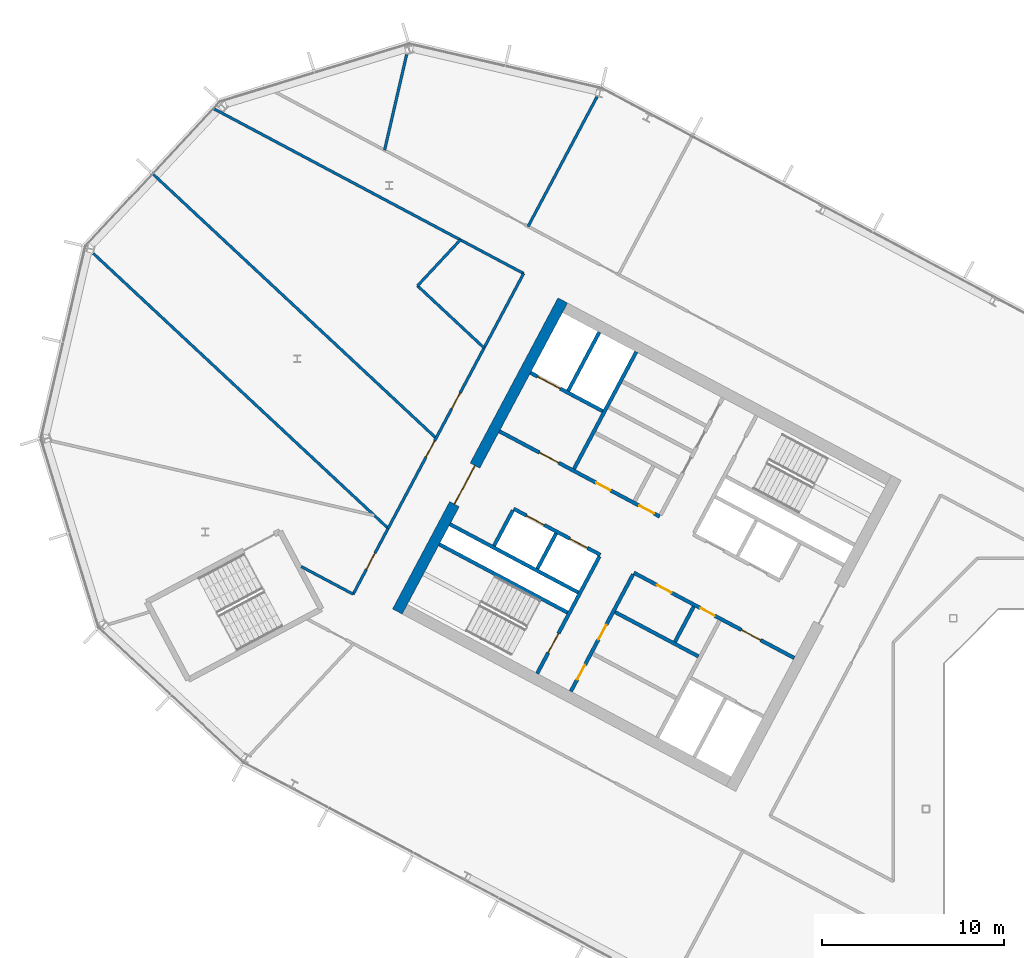
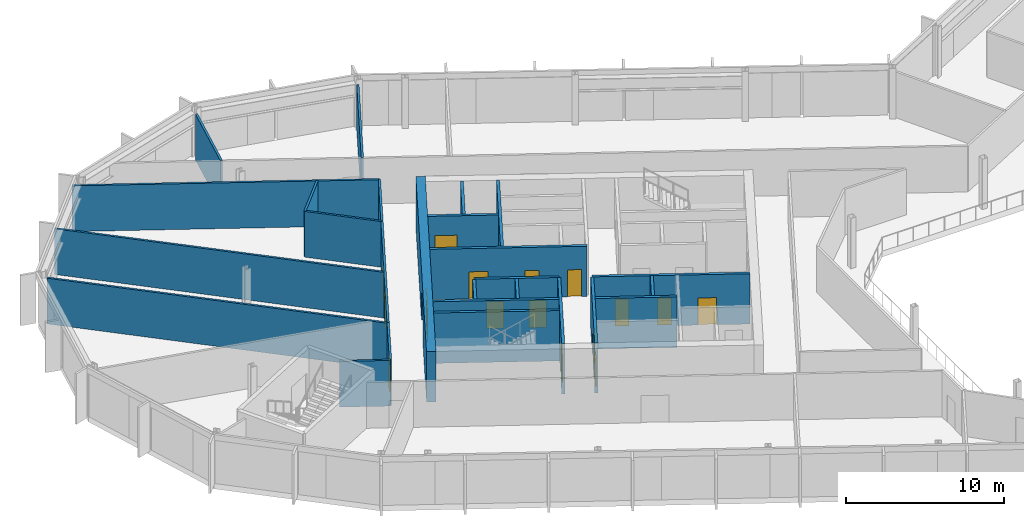
# One storey, part 16 of 31: 25 walls, 16 doors, 16 openings.
"""IFC4 building model written with IfcOpenShell, lengths in metres."""

from ifc_helpers import new_model, si_unit, direction, frame, frame_2d, origin, place, context, subcontext, project, spatial, rectangle, extrude, material, layer, layer_set, type_object, element, fill, save


model = new_model("IFC4")

# Units and contexts
model_context = context("Model", 3, precision=1e-05, world=origin(), true_north=direction((0.0, 1.0)))
body_context = subcontext(model_context, "Body", "Model", "MODEL_VIEW")
ifc_project = project(units=[si_unit("LENGTHUNIT", "METRE"), si_unit("AREAUNIT", "SQUARE_METRE"), si_unit("VOLUMEUNIT", "CUBIC_METRE"), si_unit("PLANEANGLEUNIT", "RADIAN"), si_unit("MASSUNIT", "GRAM", prefix="KILO")], contexts=[model_context])

# Site, building, storey
site_placement = place(None, origin())
site = spatial("IfcSite", under=ifc_project, at=site_placement, CompositionType="ELEMENT")
building_placement = place(site_placement, origin())
building = spatial("IfcBuilding", under=site, at=building_placement, Name="Cormorant Relay Tower", CompositionType="ELEMENT")
storey_placement = place(building_placement, frame((0.0, 0.0, 189.60009765625)))
storey = spatial("IfcBuildingStorey", under=building, at=storey_placement, Name="L40", CompositionType="ELEMENT", Elevation=189.60009765625)

# Walls
ifc_material_1 = material(Name="Concrete 40 MPa", Category="concrete")
ifc_layer_1 = layer(ifc_material_1, 0.199951171875)
ifc_layer_set_1 = layer_set([ifc_layer_1], Name="Core internal wall 200")
wall_type_1 = type_object("IfcWallType", Name="Core internal wall 200", PredefinedType="SOLIDWALL", material=ifc_layer_set_1)
for number, where, z_axis, x_axis, name in (
    (1, (-24.79052734375, 11.142822265625, 0.0), (0.0, 0.0, 1.0), (-0.469487830541, -0.882938942948, 0.0), "L40 core A shaft and room wall"),
    (2, (-32.3662109375, 15.1708984375, 0.0), (0.0, 0.0, 1.0), (-0.469487830541, -0.882938942948, 0.0), "L40 core A shaft and room wall"),
):
    element("IfcWall", number, at=place(storey_placement, frame(where, z_axis=z_axis, x_axis=x_axis)), inside=storey, type_object=wall_type_1, Name=name, PredefinedType="SOLIDWALL", context=body_context, shape_type="SweptSolid", body=[
        extrude(rectangle(XDim=2.2001953125, YDim=0.199951171875, at=frame_2d((1.10009765625, 0.0))), origin(), (0.0, 0.0, 1.0), 3.89990234375),
    ])

# Wall, openings, doors
ifc_material_2 = material(Name="Concrete 50 MPa", Category="concrete")
ifc_layer_2 = layer(ifc_material_2, 0.199951171875)
ifc_layer_set_2 = layer_set([ifc_layer_2], Name="Core shaft wall 200")
wall_type_2 = type_object("IfcWallType", Name="Core shaft wall 200", PredefinedType="SHEAR", material=ifc_layer_set_2)
wall_1_placement = place(storey_placement, frame((-28.128173828125, 12.91748046875, 0.0), z_axis=(0.0, 0.0, 1.0), x_axis=(-0.469454336211, -0.882956752176, 0.0)))
wall_1 = element("IfcWall", 3, at=wall_1_placement, inside=storey, type_object=wall_type_2, Name="L40 core A shaft wall", PredefinedType="SHEAR", context=body_context, shape_type="SweptSolid", body=[
    extrude(rectangle(XDim=7.300048828125, YDim=0.199951171875, at=frame_2d((3.64990234375, 0.0))), origin(), (0.0, 0.0, 1.0), 3.89990234375),
])
opening_1_placement = place(wall_1_placement, frame((3.14990234375, 0.0, 0.0)))
opening_1 = element("IfcOpeningElement", 4, at=opening_1_placement, cuts=wall_1, Name="Opening CDD-236", PredefinedType="OPENING", context=body_context, shape_type="SweptSolid", body=[
    extrude(rectangle(XDim=0.89990234375, YDim=2.10009765625, at=frame_2d((0.449951171875, 1.050048828125))), frame((0.0, 0.10986328125, 0.0), z_axis=(0.0, -1.0, 0.0), x_axis=(1.0, 0.0, 0.0)), (0.0, 0.0, 1.0), 0.219970703125),
])
opening_2_placement = place(wall_1_placement, frame((5.64990234375, 0.0, 0.0)))
opening_2 = element("IfcOpeningElement", 5, at=opening_2_placement, cuts=wall_1, Name="Opening CDD-237", PredefinedType="OPENING", context=body_context, shape_type="SweptSolid", body=[
    extrude(rectangle(XDim=0.89990234375, YDim=2.10009765625, at=frame_2d((0.449951171875, 1.050048828125))), frame((0.0, 0.10986328125, 0.0), z_axis=(0.0, -1.0, 0.0), x_axis=(1.0, 0.0, 0.0)), (0.0, 0.0, 1.0), 0.219970703125),
])
ifc_material_3 = material(Name="Steel fire door", Category="steel")
door_type_1 = type_object("IfcDoorType", Name="Core room door 900x2100", OperationType="SINGLE_SWING_LEFT", PredefinedType="DOOR", material=ifc_material_3)
door_1_placement = place(opening_1_placement, origin())
door_1 = element("IfcDoor", 6, at=door_1_placement, inside=storey, type_object=door_type_1, Name="Core room door 900x2100", OperationType="SINGLE_SWING_LEFT", OverallHeight=2.10009765625, OverallWidth=0.89990234375, PredefinedType="DOOR", context=body_context, shape_type="SweptSolid", body=[
    extrude(rectangle(XDim=0.89990234375, YDim=2.10009765625, at=frame_2d((0.449951171875, 1.050048828125))), frame((0.0, 0.02490234375, 0.0), z_axis=(0.0, -1.0, 0.0), x_axis=(1.0, 0.0, 0.0)), (0.0, 0.0, 1.0), 0.050048828125),
])
fill(opening_1, door_1)
door_2_placement = place(opening_2_placement, origin())
door_2 = element("IfcDoor", 7, at=door_2_placement, inside=storey, type_object=door_type_1, Name="Core room door 900x2100", OperationType="SINGLE_SWING_LEFT", OverallHeight=2.10009765625, OverallWidth=0.89990234375, PredefinedType="DOOR", context=body_context, shape_type="SweptSolid", body=[
    extrude(rectangle(XDim=0.89990234375, YDim=2.10009765625, at=frame_2d((0.449951171875, 1.050048828125))), frame((0.0, 0.02490234375, 0.0), z_axis=(0.0, -1.0, 0.0), x_axis=(1.0, 0.0, 0.0)), (0.0, 0.0, 1.0), 0.050048828125),
])
fill(opening_2, door_2)

# Wall, opening, door
wall_2_placement = place(storey_placement, frame((-29.982421875, 13.9033203125, 0.0), z_axis=(0.0, 0.0, 1.0), x_axis=(-0.469454336211, -0.882956752176, 0.0)))
wall_2 = element("IfcWall", 8, at=wall_2_placement, inside=storey, type_object=wall_type_2, Name="L40 core A shaft wall", PredefinedType="SHEAR", context=body_context, shape_type="SweptSolid", body=[
    extrude(rectangle(XDim=7.300048828125, YDim=0.199951171875, at=frame_2d((3.64990234375, 0.0))), origin(), (0.0, 0.0, 1.0), 3.89990234375),
])
opening_3_placement = place(wall_2_placement, frame((4.800048828125, 0.0, 0.0)))
opening_3 = element("IfcOpeningElement", 9, at=opening_3_placement, cuts=wall_2, Name="Opening CDB-039", PredefinedType="OPENING", context=body_context, shape_type="SweptSolid", body=[
    extrude(rectangle(XDim=1.199951171875, YDim=2.10009765625, at=frame_2d((0.60009765625, 1.050048828125))), frame((0.0, 0.10986328125, 0.0), z_axis=(0.0, -1.0, 0.0), x_axis=(1.0, 0.0, 0.0)), (0.0, 0.0, 1.0), 0.219970703125),
])
ifc_material_4 = material(Name="Steel fire door", Category="steel")
door_type_2 = type_object("IfcDoorType", Name="Core stair door 1200x2100", OperationType="SINGLE_SWING_LEFT", PredefinedType="DOOR", material=ifc_material_4)
door_3_placement = place(opening_3_placement, frame((1.199951171875, 0.0, 0.0), z_axis=(0.0, 0.0, 1.0), x_axis=(-1.0, 0.0, 0.0)))
door_3 = element("IfcDoor", 10, at=door_3_placement, inside=storey, type_object=door_type_2, Name="Core stair door 1200x2100", OperationType="SINGLE_SWING_RIGHT", OverallHeight=2.10009765625, OverallWidth=1.199951171875, PredefinedType="DOOR", context=body_context, shape_type="SweptSolid", body=[
    extrude(rectangle(XDim=1.199951171875, YDim=2.10009765625, at=frame_2d((0.60009765625, 1.050048828125))), frame((0.0, 0.02490234375, 0.0), z_axis=(0.0, -1.0, 0.0), x_axis=(1.0, 0.0, 0.0)), (0.0, 0.0, 1.0), 0.050048828125),
])
fill(opening_3, door_3)

# Walls
wall_3_placement = place(storey_placement, frame((-27.955322265625, 25.170654296875, 0.0), z_axis=(0.0, 0.0, 1.0), x_axis=(-0.469480409012, -0.88294288918, 0.0)))
element("IfcWall", 11, at=wall_3_placement, inside=storey, type_object=wall_type_2, Name="L40 core A shaft wall", PredefinedType="SHEAR", context=body_context, shape_type="SweptSolid", body=[
    extrude(rectangle(XDim=7.300048828125, YDim=0.199951171875, at=frame_2d((3.64990234375, 0.0))), origin(), (0.0, 0.0, 1.0), 3.89990234375),
])
wall_4_placement = place(storey_placement, frame((-34.750244140625, 16.4384765625, 0.0), z_axis=(0.0, 0.0, 1.0), x_axis=(-0.469401318492, -0.882984938828, 0.0)))
element("IfcWall", 12, at=wall_4_placement, inside=storey, type_object=wall_type_2, Name="L40 core A shaft wall", PredefinedType="SHEAR", context=body_context, shape_type="SweptSolid", body=[
    extrude(rectangle(XDim=2.199951171875, YDim=0.199951171875, at=frame_2d((1.10009765625, 0.0))), origin(), (0.0, 0.0, 1.0), 3.89990234375),
])
wall_5_placement = place(storey_placement, frame((-29.986083984375, 26.250244140625, 0.0), z_axis=(0.0, 0.0, 1.0), x_axis=(-0.469494272526, -0.882935517501, 0.0)))
element("IfcWall", 13, at=wall_5_placement, inside=storey, type_object=wall_type_2, Name="L40 core A shaft wall", PredefinedType="SHEAR", context=body_context, shape_type="SweptSolid", body=[
    extrude(rectangle(XDim=3.64990234375, YDim=0.199951171875, at=frame_2d((1.824951171875, 0.0))), origin(), (0.0, 0.0, 1.0), 3.89990234375),
])

# Wall, opening, door
wall_6_placement = place(storey_placement, frame((-29.80419921875, 21.906494140625, 0.0), z_axis=(0.0, 0.0, 1.0), x_axis=(-0.882960433586, 0.469447412093, 0.0)))
wall_6 = element("IfcWall", 14, at=wall_6_placement, inside=storey, type_object=wall_type_2, Name="L40 core A shaft wall", PredefinedType="SHEAR", context=body_context, shape_type="SweptSolid", body=[
    extrude(rectangle(XDim=4.5, YDim=0.199951171875, at=frame_2d((2.25, 0.0))), origin(), (0.0, 0.0, 1.0), 3.89990234375),
])
opening_4_placement = place(wall_6_placement, frame((2.64990234375, 0.0, 0.0)))
opening_4 = element("IfcOpeningElement", 15, at=opening_4_placement, cuts=wall_6, Name="Opening LD3-015", PredefinedType="OPENING", context=body_context, shape_type="SweptSolid", body=[
    extrude(rectangle(XDim=1.39990234375, YDim=2.39990234375, at=frame_2d((0.699951171875, 1.199951171875))), frame((0.0, 0.10986328125, 0.0), z_axis=(0.0, -1.0, 0.0), x_axis=(1.0, 0.0, 0.0)), (0.0, 0.0, 1.0), 0.219970703125),
])
ifc_material_5 = material(Name="Stainless steel 316", Category="steel")
door_type_3 = type_object("IfcDoorType", Name="Lift landing door 1400x2400", OperationType="DOUBLE_DOOR_SLIDING", PredefinedType="DOOR", material=ifc_material_5)
door_4_placement = place(opening_4_placement, origin())
door_4 = element("IfcDoor", 16, at=door_4_placement, inside=storey, type_object=door_type_3, Name="SV1 landing door", OperationType="DOUBLE_DOOR_SLIDING", OverallHeight=2.39990234375, OverallWidth=1.39990234375, PredefinedType="DOOR", context=body_context, shape_type="SweptSolid", body=[
    extrude(rectangle(XDim=1.39990234375, YDim=2.39990234375, at=frame_2d((0.699951171875, 1.199951171875))), frame((0.0, 0.02490234375, 0.0), z_axis=(0.0, -1.0, 0.0), x_axis=(1.0, 0.0, 0.0)), (0.0, 0.0, 1.0), 0.050048828125),
])
fill(opening_4, door_4)

# Wall, openings, doors
wall_7_placement = place(storey_placement, frame((-26.66162109375, 16.1015625, 0.0), z_axis=(0.0, 0.0, 1.0), x_axis=(-0.882940221191, 0.469485426614, 0.0)))
wall_7 = element("IfcWall", 17, at=wall_7_placement, inside=storey, type_object=wall_type_2, Name="L40 core A shaft wall", PredefinedType="SHEAR", context=body_context, shape_type="SweptSolid", body=[
    extrude(rectangle(XDim=10.0, YDim=0.199951171875, at=frame_2d((5.0, 0.0))), origin(), (0.0, 0.0, 1.0), 3.89990234375),
])
opening_5_placement = place(wall_7_placement, frame((6.300048828125, 0.0, 0.0)))
opening_5 = element("IfcOpeningElement", 18, at=opening_5_placement, cuts=wall_7, Name="Opening CDC-034", PredefinedType="OPENING", context=body_context, shape_type="SweptSolid", body=[
    extrude(rectangle(XDim=1.199951171875, YDim=2.10009765625, at=frame_2d((0.60009765625, 1.050048828125))), frame((0.0, 0.10986328125, 0.0), z_axis=(0.0, -1.0, 0.0), x_axis=(1.0, 0.0, 0.0)), (0.0, 0.0, 1.0), 0.219970703125),
])
opening_6_placement = place(wall_7_placement, frame((0.360107421875, 0.0, 0.0)))
opening_6 = element("IfcOpeningElement", 19, at=opening_6_placement, cuts=wall_7, Name="Opening CDD-234", PredefinedType="OPENING", context=body_context, shape_type="SweptSolid", body=[
    extrude(rectangle(XDim=0.89990234375, YDim=2.10009765625, at=frame_2d((0.449951171875, 1.050048828125))), frame((0.0, 0.10986328125, 0.0), z_axis=(0.0, -1.0, 0.0), x_axis=(1.0, 0.0, 0.0)), (0.0, 0.0, 1.0), 0.219970703125),
])
opening_7_placement = place(wall_7_placement, frame((3.06005859375, 0.0, 0.0)))
opening_7 = element("IfcOpeningElement", 20, at=opening_7_placement, cuts=wall_7, Name="Opening CDD-235", PredefinedType="OPENING", context=body_context, shape_type="SweptSolid", body=[
    extrude(rectangle(XDim=0.89990234375, YDim=2.10009765625, at=frame_2d((0.449951171875, 1.050048828125))), frame((0.0, 0.10986328125, 0.0), z_axis=(0.0, -1.0, 0.0), x_axis=(1.0, 0.0, 0.0)), (0.0, 0.0, 1.0), 0.219970703125),
])
ifc_material_6 = material(Name="Steel fire door", Category="steel")
door_type_4 = type_object("IfcDoorType", Name="Core lobby door 1200x2100", OperationType="SINGLE_SWING_LEFT", PredefinedType="DOOR", material=ifc_material_6)
door_5_placement = place(opening_5_placement, origin())
door_5 = element("IfcDoor", 21, at=door_5_placement, inside=storey, type_object=door_type_4, Name="Core lobby door 1200x2100", OperationType="SINGLE_SWING_LEFT", OverallHeight=2.10009765625, OverallWidth=1.199951171875, PredefinedType="DOOR", context=body_context, shape_type="SweptSolid", body=[
    extrude(rectangle(XDim=1.199951171875, YDim=2.10009765625, at=frame_2d((0.60009765625, 1.050048828125))), frame((0.0, 0.02490234375, 0.0), z_axis=(0.0, -1.0, 0.0), x_axis=(1.0, 0.0, 0.0)), (0.0, 0.0, 1.0), 0.050048828125),
])
fill(opening_5, door_5)
door_6_placement = place(opening_6_placement, frame((0.89990234375, 0.0, 0.0), z_axis=(0.0, 0.0, 1.0), x_axis=(-1.0, 0.0, 0.0)))
door_6 = element("IfcDoor", 22, at=door_6_placement, inside=storey, type_object=door_type_1, Name="Core room door 900x2100", OperationType="SINGLE_SWING_RIGHT", OverallHeight=2.10009765625, OverallWidth=0.89990234375, PredefinedType="DOOR", context=body_context, shape_type="SweptSolid", body=[
    extrude(rectangle(XDim=0.89990234375, YDim=2.10009765625, at=frame_2d((0.449951171875, 1.050048828125))), frame((0.0, 0.02490234375, 0.0), z_axis=(0.0, -1.0, 0.0), x_axis=(1.0, 0.0, 0.0)), (0.0, 0.0, 1.0), 0.050048828125),
])
fill(opening_6, door_6)
door_7_placement = place(opening_7_placement, frame((0.89990234375, 0.0, 0.0), z_axis=(0.0, 0.0, 1.0), x_axis=(-1.0, 0.0, 0.0)))
door_7 = element("IfcDoor", 23, at=door_7_placement, inside=storey, type_object=door_type_1, Name="Core room door 900x2100", OperationType="SINGLE_SWING_RIGHT", OverallHeight=2.10009765625, OverallWidth=0.89990234375, PredefinedType="DOOR", context=body_context, shape_type="SweptSolid", body=[
    extrude(rectangle(XDim=0.89990234375, YDim=2.10009765625, at=frame_2d((0.449951171875, 1.050048828125))), frame((0.0, 0.02490234375, 0.0), z_axis=(0.0, -1.0, 0.0), x_axis=(1.0, 0.0, 0.0)), (0.0, 0.0, 1.0), 0.050048828125),
])
fill(opening_7, door_7)

wall_8_placement = place(storey_placement, frame((-19.251708984375, 8.31103515625, 0.0), z_axis=(0.0, 0.0, 1.0), x_axis=(-0.882955722218, 0.469456273365, 0.0)))
wall_8 = element("IfcWall", 24, at=wall_8_placement, inside=storey, type_object=wall_type_2, Name="L40 core A shaft wall", PredefinedType="SHEAR", context=body_context, shape_type="SweptSolid", body=[
    extrude(rectangle(XDim=10.0, YDim=0.199951171875, at=frame_2d((5.0, 0.0))), origin(), (0.0, 0.0, 1.0), 3.89990234375),
])
opening_8_placement = place(wall_8_placement, frame((2.10009765625, 0.0, 0.0)))
opening_8 = element("IfcOpeningElement", 25, at=opening_8_placement, cuts=wall_8, Name="Opening CDC-033", PredefinedType="OPENING", context=body_context, shape_type="SweptSolid", body=[
    extrude(rectangle(XDim=1.199951171875, YDim=2.10009765625, at=frame_2d((0.60009765625, 1.050048828125))), frame((0.0, 0.10986328125, 0.0), z_axis=(0.0, -1.0, 0.0), x_axis=(1.0, 0.0, 0.0)), (0.0, 0.0, 1.0), 0.219970703125),
])
opening_9_placement = place(wall_8_placement, frame((4.9599609375, 0.0, 0.0)))
opening_9 = element("IfcOpeningElement", 26, at=opening_9_placement, cuts=wall_8, Name="Opening CDD-232", PredefinedType="OPENING", context=body_context, shape_type="SweptSolid", body=[
    extrude(rectangle(XDim=0.89990234375, YDim=2.10009765625, at=frame_2d((0.449951171875, 1.050048828125))), frame((0.0, 0.10986328125, 0.0), z_axis=(0.0, -1.0, 0.0), x_axis=(1.0, 0.0, 0.0)), (0.0, 0.0, 1.0), 0.219970703125),
])
opening_10_placement = place(wall_8_placement, frame((7.659912109375, 0.0, 0.0)))
opening_10 = element("IfcOpeningElement", 27, at=opening_10_placement, cuts=wall_8, Name="Opening CDD-233", PredefinedType="OPENING", context=body_context, shape_type="SweptSolid", body=[
    extrude(rectangle(XDim=0.89990234375, YDim=2.10009765625, at=frame_2d((0.449951171875, 1.050048828125))), frame((0.0, 0.10986328125, 0.0), z_axis=(0.0, -1.0, 0.0), x_axis=(1.0, 0.0, 0.0)), (0.0, 0.0, 1.0), 0.219970703125),
])
door_8_placement = place(opening_8_placement, origin())
door_8 = element("IfcDoor", 28, at=door_8_placement, inside=storey, type_object=door_type_4, Name="Core lobby door 1200x2100", OperationType="SINGLE_SWING_RIGHT", OverallHeight=2.10009765625, OverallWidth=1.199951171875, PredefinedType="DOOR", context=body_context, shape_type="SweptSolid", body=[
    extrude(rectangle(XDim=1.199951171875, YDim=2.10009765625, at=frame_2d((0.60009765625, 1.050048828125))), frame((0.0, 0.02490234375, 0.0), z_axis=(0.0, -1.0, 0.0), x_axis=(1.0, 0.0, 0.0)), (0.0, 0.0, 1.0), 0.050048828125),
])
fill(opening_8, door_8)
door_9_placement = place(opening_9_placement, origin())
door_9 = element("IfcDoor", 29, at=door_9_placement, inside=storey, type_object=door_type_1, Name="Core room door 900x2100", OperationType="SINGLE_SWING_LEFT", OverallHeight=2.10009765625, OverallWidth=0.89990234375, PredefinedType="DOOR", context=body_context, shape_type="SweptSolid", body=[
    extrude(rectangle(XDim=0.89990234375, YDim=2.10009765625, at=frame_2d((0.449951171875, 1.050048828125))), frame((0.0, 0.02490234375, 0.0), z_axis=(0.0, -1.0, 0.0), x_axis=(1.0, 0.0, 0.0)), (0.0, 0.0, 1.0), 0.050048828125),
])
fill(opening_9, door_9)
door_10_placement = place(opening_10_placement, origin())
door_10 = element("IfcDoor", 30, at=door_10_placement, inside=storey, type_object=door_type_1, Name="Core room door 900x2100", OperationType="SINGLE_SWING_LEFT", OverallHeight=2.10009765625, OverallWidth=0.89990234375, PredefinedType="DOOR", context=body_context, shape_type="SweptSolid", body=[
    extrude(rectangle(XDim=0.89990234375, YDim=2.10009765625, at=frame_2d((0.449951171875, 1.050048828125))), frame((0.0, 0.02490234375, 0.0), z_axis=(0.0, -1.0, 0.0), x_axis=(1.0, 0.0, 0.0)), (0.0, 0.0, 1.0), 0.050048828125),
])
fill(opening_10, door_10)

wall_9_placement = place(storey_placement, frame((-29.935302734375, 13.991455078125, 0.0), z_axis=(0.0, 0.0, 1.0), x_axis=(-0.882952937579, 0.469461510692, 0.0)))
wall_9 = element("IfcWall", 31, at=wall_9_placement, inside=storey, type_object=wall_type_2, Name="L40 core A shaft wall", PredefinedType="SHEAR", context=body_context, shape_type="SweptSolid", body=[
    extrude(rectangle(XDim=5.400146484375, YDim=0.199951171875, at=frame_2d((2.7001953125, 0.0))), origin(), (0.0, 0.0, 1.0), 3.89990234375),
])
opening_11_placement = place(wall_9_placement, frame((0.800048828125, 0.0, 0.0)))
opening_11 = element("IfcOpeningElement", 32, at=opening_11_placement, cuts=wall_9, Name="Opening LD1-059", PredefinedType="OPENING", context=body_context, shape_type="SweptSolid", body=[
    extrude(rectangle(XDim=1.10009765625, YDim=2.10009765625, at=frame_2d((0.550048828125, 1.050048828125))), frame((0.0, 0.10986328125, 0.0), z_axis=(0.0, -1.0, 0.0), x_axis=(1.0, 0.0, 0.0)), (0.0, 0.0, 1.0), 0.219970703125),
])
opening_12_placement = place(wall_9_placement, frame((3.5, 0.0, 0.0)))
opening_12 = element("IfcOpeningElement", 33, at=opening_12_placement, cuts=wall_9, Name="Opening LD1-060", PredefinedType="OPENING", context=body_context, shape_type="SweptSolid", body=[
    extrude(rectangle(XDim=1.10009765625, YDim=2.10009765625, at=frame_2d((0.550048828125, 1.050048828125))), frame((0.0, 0.10986328125, 0.0), z_axis=(0.0, -1.0, 0.0), x_axis=(1.0, 0.0, 0.0)), (0.0, 0.0, 1.0), 0.219970703125),
])
ifc_material_7 = material(Name="Stainless steel 316", Category="steel")
door_type_5 = type_object("IfcDoorType", Name="Lift landing door 1100x2100", OperationType="DOUBLE_DOOR_SLIDING", PredefinedType="DOOR", material=ifc_material_7)
door_11_placement = place(opening_11_placement, origin())
door_11 = element("IfcDoor", 34, at=door_11_placement, inside=storey, type_object=door_type_5, Name="MR1 landing door", OperationType="DOUBLE_DOOR_SLIDING", OverallHeight=2.10009765625, OverallWidth=1.10009765625, PredefinedType="DOOR", context=body_context, shape_type="SweptSolid", body=[
    extrude(rectangle(XDim=1.10009765625, YDim=2.10009765625, at=frame_2d((0.550048828125, 1.050048828125))), frame((0.0, 0.02490234375, 0.0), z_axis=(0.0, -1.0, 0.0), x_axis=(1.0, 0.0, 0.0)), (0.0, 0.0, 1.0), 0.050048828125),
])
fill(opening_11, door_11)
door_12_placement = place(opening_12_placement, origin())
door_12 = element("IfcDoor", 35, at=door_12_placement, inside=storey, type_object=door_type_5, Name="MR2 landing door", OperationType="DOUBLE_DOOR_SLIDING", OverallHeight=2.10009765625, OverallWidth=1.10009765625, PredefinedType="DOOR", context=body_context, shape_type="SweptSolid", body=[
    extrude(rectangle(XDim=1.10009765625, YDim=2.10009765625, at=frame_2d((0.550048828125, 1.050048828125))), frame((0.0, 0.02490234375, 0.0), z_axis=(0.0, -1.0, 0.0), x_axis=(1.0, 0.0, 0.0)), (0.0, 0.0, 1.0), 0.050048828125),
])
fill(opening_12, door_12)

# Walls
wall_10_placement = place(storey_placement, frame((-24.5283203125, 8.3984375, 0.0), z_axis=(0.0, 0.0, 1.0), x_axis=(-0.882953967957, 0.469459572775, 0.0)))
element("IfcWall", 36, at=wall_10_placement, inside=storey, type_object=wall_type_2, Name="L40 core A shaft wall", PredefinedType="SHEAR", context=body_context, shape_type="SweptSolid", body=[
    extrude(rectangle(XDim=5.199951171875, YDim=0.199951171875, at=frame_2d((2.60009765625, 0.0))), origin(), (0.0, 0.0, 1.0), 3.89990234375),
])
for number, where, z_axis, x_axis, name in (
    (37, (-31.150390625, 11.91943359375, 0.0), (0.0, 0.0, 1.0), (-0.882940221191, 0.469485426614, 0.0), "L40 core A shaft wall"),
    (38, (-31.7373046875, 10.815673828125, 0.0), (0.0, 0.0, 1.0), (-0.882940221191, 0.469485426614, 0.0), "L40 core A shaft wall"),
):
    element("IfcWall", number, at=place(storey_placement, frame(where, z_axis=z_axis, x_axis=x_axis)), inside=storey, type_object=wall_type_2, Name=name, PredefinedType="SHEAR", context=body_context, shape_type="SweptSolid", body=[
        extrude(rectangle(XDim=8.0, YDim=0.199951171875, at=frame_2d((4.0, 0.0))), origin(), (0.0, 0.0, 1.0), 3.89990234375),
    ])

# Wall, opening, door
ifc_material_8 = material(Name="Concrete 50 MPa", Category="concrete")
ifc_layer_3 = layer(ifc_material_8, 0.60009765625)
ifc_layer_set_3 = layer_set([ifc_layer_3], Name="Core wall 600")
wall_type_3 = type_object("IfcWallType", Name="Core wall 600", PredefinedType="SHEAR", material=ifc_layer_set_3)
wall_11_placement = place(storey_placement, frame((-32.000244140625, 28.000732421875, 0.0), z_axis=(0.0, 0.0, 1.0), x_axis=(-0.469468958625, -0.882948977511, 0.0)))
wall_11 = element("IfcWall", 39, at=wall_11_placement, inside=storey, type_object=wall_type_3, Name="L40 core A wall", PredefinedType="SHEAR", context=body_context, shape_type="SweptSolid", body=[
    extrude(rectangle(XDim=19.39990234375, YDim=0.60009765625, at=frame_2d((9.699951171875, 0.0))), origin(), (0.0, 0.0, 1.0), 3.89990234375),
])
opening_13_placement = place(wall_11_placement, frame((10.300048828125, 0.0, 0.0)))
opening_13 = element("IfcOpeningElement", 40, at=opening_13_placement, cuts=wall_11, Name="Opening CDA-041", PredefinedType="OPENING", context=body_context, shape_type="SweptSolid", body=[
    extrude(rectangle(XDim=2.39990234375, YDim=2.39990234375, at=frame_2d((1.199951171875, 1.199951171875))), frame((0.0, 0.31005859375, 0.0), z_axis=(0.0, -1.0, 0.0), x_axis=(1.0, 0.0, 0.0)), (0.0, 0.0, 1.0), 0.6201171875),
])
ifc_material_9 = material(Name="Steel fire door", Category="steel")
door_type_6 = type_object("IfcDoorType", Name="Core lobby door 2400x2400", OperationType="DOUBLE_DOOR_SINGLE_SWING", PredefinedType="DOOR", material=ifc_material_9)
door_13_placement = place(opening_13_placement, origin())
door_13 = element("IfcDoor", 41, at=door_13_placement, inside=storey, type_object=door_type_6, Name="Core lobby door 2400x2400", OperationType="DOUBLE_DOOR_SINGLE_SWING", OverallHeight=2.39990234375, OverallWidth=2.39990234375, PredefinedType="DOOR", context=body_context, shape_type="SweptSolid", body=[
    extrude(rectangle(XDim=2.39990234375, YDim=2.39990234375, at=frame_2d((1.199951171875, 1.199951171875))), frame((0.0, 0.02490234375, 0.0), z_axis=(0.0, -1.0, 0.0), x_axis=(1.0, 0.0, 0.0)), (0.0, 0.0, 1.0), 0.050048828125),
])
fill(opening_13, door_13)

# Wall, openings, doors
ifc_material_10 = material(Name="Gypsum board fire partition")
ifc_layer_4 = layer(ifc_material_10, 0.14990234375)
ifc_layer_set_4 = layer_set([ifc_layer_4], Name="Corridor partition 150 EI 60")
wall_type_4 = type_object("IfcWallType", Name="Corridor partition 150 EI 60", PredefinedType="PARTITIONING", material=ifc_layer_set_4)
wall_12_placement = place(storey_placement, frame((-41.617919921875, 15.449951171875, 0.0), z_axis=(0.0, 0.0, 1.0), x_axis=(0.46945912711, 0.882954204913, 0.0)))
wall_12 = element("IfcWall", 42, at=wall_12_placement, inside=storey, type_object=wall_type_4, Name="wall/L40/part/007", PredefinedType="PARTITIONING", context=body_context, shape_type="SweptSolid", body=[
    extrude(rectangle(XDim=15.896728515625, YDim=0.14990234375, at=frame_2d((7.9482421875, 0.0))), origin(), (0.0, 0.0, 1.0), 3.539794921875),
])
opening_14_placement = place(wall_12_placement, frame((7.448974609375, 0.0, 0.0)))
opening_14 = element("IfcOpeningElement", 43, at=opening_14_placement, cuts=wall_12, Name="Opening DS-111", PredefinedType="OPENING", context=body_context, shape_type="SweptSolid", body=[
    extrude(rectangle(XDim=1.0, YDim=2.10009765625, at=frame_2d((0.5, 1.050048828125))), frame((0.0, 0.0849609375, 0.0), z_axis=(0.0, -1.0, 0.0), x_axis=(1.0, 0.0, 0.0)), (0.0, 0.0, 1.0), 0.169921875),
])
opening_15_placement = place(wall_12_placement, frame((4.449951171875, 0.0, 0.0)))
opening_15 = element("IfcOpeningElement", 44, at=opening_15_placement, cuts=wall_12, Name="Opening DS-112", PredefinedType="OPENING", context=body_context, shape_type="SweptSolid", body=[
    extrude(rectangle(XDim=1.0, YDim=2.10009765625, at=frame_2d((0.5, 1.050048828125))), frame((0.0, 0.0849609375, 0.0), z_axis=(0.0, -1.0, 0.0), x_axis=(1.0, 0.0, 0.0)), (0.0, 0.0, 1.0), 0.169921875),
])
ifc_material_11 = material(Name="Timber door leaf", Category="wood")
door_type_7 = type_object("IfcDoorType", Name="Suite door 1000x2100", OperationType="SINGLE_SWING_LEFT", PredefinedType="DOOR", material=ifc_material_11)
door_14_placement = place(opening_14_placement, origin())
door_14 = element("IfcDoor", 45, at=door_14_placement, inside=storey, type_object=door_type_7, Name="door/L40/005", OperationType="SINGLE_SWING_RIGHT", OverallHeight=2.10009765625, OverallWidth=1.0, PredefinedType="DOOR", context=body_context, shape_type="SweptSolid", body=[
    extrude(rectangle(XDim=1.0, YDim=2.10009765625, at=frame_2d((0.5, 1.050048828125))), frame((0.0, 0.02490234375, 0.0), z_axis=(0.0, -1.0, 0.0), x_axis=(1.0, 0.0, 0.0)), (0.0, 0.0, 1.0), 0.050048828125),
])
fill(opening_14, door_14)
door_15_placement = place(opening_15_placement, origin())
door_15 = element("IfcDoor", 46, at=door_15_placement, inside=storey, type_object=door_type_7, Name="door/L40/006", OperationType="SINGLE_SWING_RIGHT", OverallHeight=2.10009765625, OverallWidth=1.0, PredefinedType="DOOR", context=body_context, shape_type="SweptSolid", body=[
    extrude(rectangle(XDim=1.0, YDim=2.10009765625, at=frame_2d((0.5, 1.050048828125))), frame((0.0, 0.02490234375, 0.0), z_axis=(0.0, -1.0, 0.0), x_axis=(1.0, 0.0, 0.0)), (0.0, 0.0, 1.0), 0.050048828125),
])
fill(opening_15, door_15)

# Walls
wall_13_placement = place(storey_placement, frame((-34.155029296875, 29.486083984375, 0.0), z_axis=(0.0, 0.0, 1.0), x_axis=(-0.882941970897, 0.469482136006, 0.0)))
element("IfcWall", 47, at=wall_13_placement, inside=storey, type_object=wall_type_4, Name="wall/L40/part/008", PredefinedType="PARTITIONING", context=body_context, shape_type="SweptSolid", body=[
    extrude(rectangle(XDim=19.52783203125, YDim=0.14990234375, at=frame_2d((9.763916015625, 0.0))), origin(), (0.0, 0.0, 1.0), 3.539794921875),
])
wall_14_placement = place(storey_placement, frame((-46.403076171875, 13.346923828125, 0.0), z_axis=(0.0, 0.0, 1.0), x_axis=(0.882974130461, -0.469421649411, 0.0)))
element("IfcWall", 48, at=wall_14_placement, inside=storey, type_object=wall_type_4, Name="wall/L40/part/013", PredefinedType="PARTITIONING", context=body_context, shape_type="SweptSolid", body=[
    extrude(rectangle(XDim=3.238037109375, YDim=0.14990234375, at=frame_2d((1.619140625, 0.0))), origin(), (0.0, 0.0, 1.0), 3.539794921875),
])

# Wall, opening, door
wall_15_placement = place(storey_placement, frame((-41.617919921875, 15.449951171875, 0.0), z_axis=(0.0, 0.0, 1.0), x_axis=(-0.468819008191, -0.883294253099, 0.0)))
wall_15 = element("IfcWall", 49, at=wall_15_placement, inside=storey, type_object=wall_type_4, Name="wall/L40/part/014", PredefinedType="PARTITIONING", context=body_context, shape_type="SweptSolid", body=[
    extrude(rectangle(XDim=4.106201171875, YDim=0.14990234375, at=frame_2d((2.05322265625, 0.0))), origin(), (0.0, 0.0, 1.0), 3.539794921875),
])
opening_16_placement = place(wall_15_placement, frame((1.550048828125, 0.0, 0.0)))
opening_16 = element("IfcOpeningElement", 50, at=opening_16_placement, cuts=wall_15, Name="Opening DS-113", PredefinedType="OPENING", context=body_context, shape_type="SweptSolid", body=[
    extrude(rectangle(XDim=1.0, YDim=2.10009765625, at=frame_2d((0.5, 1.050048828125))), frame((0.0, 0.0849609375, 0.0), z_axis=(0.0, -1.0, 0.0), x_axis=(1.0, 0.0, 0.0)), (0.0, 0.0, 1.0), 0.169921875),
])
door_16_placement = place(opening_16_placement, frame((1.0, 0.0, 0.0), z_axis=(0.0, 0.0, 1.0), x_axis=(-1.0, 0.0, 0.0)))
door_16 = element("IfcDoor", 51, at=door_16_placement, inside=storey, type_object=door_type_7, Name="door/L40/007", OperationType="SINGLE_SWING_RIGHT", OverallHeight=2.10009765625, OverallWidth=1.0, PredefinedType="DOOR", context=body_context, shape_type="SweptSolid", body=[
    extrude(rectangle(XDim=1.0, YDim=2.10009765625, at=frame_2d((0.5, 1.050048828125))), frame((0.0, 0.02490234375, 0.0), z_axis=(0.0, -1.0, 0.0), x_axis=(1.0, 0.0, 0.0)), (0.0, 0.0, 1.0), 0.050048828125),
])
fill(opening_16, door_16)

# Walls
ifc_material_12 = material(Name="Gypsum board partition")
ifc_layer_5 = layer(ifc_material_12, 0.14990234375)
ifc_layer_set_5 = layer_set([ifc_layer_5], Name="Tenant partition 150")
wall_type_5 = type_object("IfcWallType", Name="Tenant partition 150", PredefinedType="PARTITIONING", material=ifc_layer_set_5)
wall_16_placement = place(storey_placement, frame((-54.714111328125, 35.095947265625, 0.0), z_axis=(0.0, 0.0, 1.0), x_axis=(0.731373223971, -0.681977424303, 0.0)))
element("IfcWall", 52, at=wall_16_placement, inside=storey, type_object=wall_type_5, Name="wall/L40/part/002", PredefinedType="PARTITIONING", context=body_context, shape_type="SweptSolid", body=[
    extrude(rectangle(XDim=21.519775390625, YDim=0.14990234375, at=frame_2d((10.759765625, 0.0))), origin(), (0.0, 0.0, 1.0), 3.539794921875),
])
wall_17_placement = place(storey_placement, frame((-41.616943359375, 15.451904296875, 0.0), z_axis=(0.0, 0.0, 1.0), x_axis=(-0.731394449571, 0.681954660617, 0.0)))
element("IfcWall", 53, at=wall_17_placement, inside=storey, type_object=wall_type_5, Name="wall/L40/part/003", PredefinedType="PARTITIONING", context=body_context, shape_type="SweptSolid", body=[
    extrude(rectangle(XDim=22.206787109375, YDim=0.14990234375, at=frame_2d((11.103515625, 0.0))), origin(), (0.0, 0.0, 1.0), 3.539794921875),
])
wall_18_placement = place(storey_placement, frame((-37.639892578125, 31.339111328125, 0.0), z_axis=(0.0, 0.0, 1.0), x_axis=(-0.681983873773, -0.731367210035, 0.0)))
element("IfcWall", 54, at=wall_18_placement, inside=storey, type_object=wall_type_5, Name="wall/L40/part/005", PredefinedType="PARTITIONING", context=body_context, shape_type="SweptSolid", body=[
    extrude(rectangle(XDim=3.460693359375, YDim=0.14990234375, at=frame_2d((1.73046875, 0.0))), origin(), (0.0, 0.0, 1.0), 3.539794921875),
])
wall_19_placement = place(storey_placement, frame((-40.0, 28.80810546875, 0.0), z_axis=(0.0, 0.0, 1.0), x_axis=(0.731199369693, -0.682163823257, 0.0)))
element("IfcWall", 55, at=wall_19_placement, inside=storey, type_object=wall_type_5, Name="wall/L40/part/006", PredefinedType="PARTITIONING", context=body_context, shape_type="SweptSolid", body=[
    extrude(rectangle(XDim=5.013671875, YDim=0.14990234375, at=frame_2d((2.5068359375, 0.0))), origin(), (0.0, 0.0, 1.0), 3.539794921875),
])
wall_20_placement = place(storey_placement, frame((-30.10888671875, 39.22509765625, 0.0), z_axis=(0.0, 0.0, 1.0), x_axis=(-0.469490973279, -0.882937271843, 0.0)))
element("IfcWall", 56, at=wall_20_placement, inside=storey, type_object=wall_type_5, Name="wall/L40/part/017", PredefinedType="PARTITIONING", context=body_context, shape_type="SweptSolid", body=[
    extrude(rectangle(XDim=8.09814453125, YDim=0.14990234375, at=frame_2d((4.049072265625, 0.0))), origin(), (0.0, 0.0, 1.0), 3.539794921875),
])
wall_21_placement = place(storey_placement, frame((-41.81298828125, 36.27587890625, 0.0), z_axis=(0.0, 0.0, 1.0), x_axis=(0.22495163737, 0.974369930183, 0.0)))
element("IfcWall", 57, at=wall_21_placement, inside=storey, type_object=wall_type_5, Name="wall/L40/part/018", PredefinedType="PARTITIONING", context=body_context, shape_type="SweptSolid", body=[
    extrude(rectangle(XDim=5.4189453125, YDim=0.14990234375, at=frame_2d((2.70947265625, 0.0))), origin(), (0.0, 0.0, 1.0), 3.539794921875),
])

save(model, "model.ifc")
